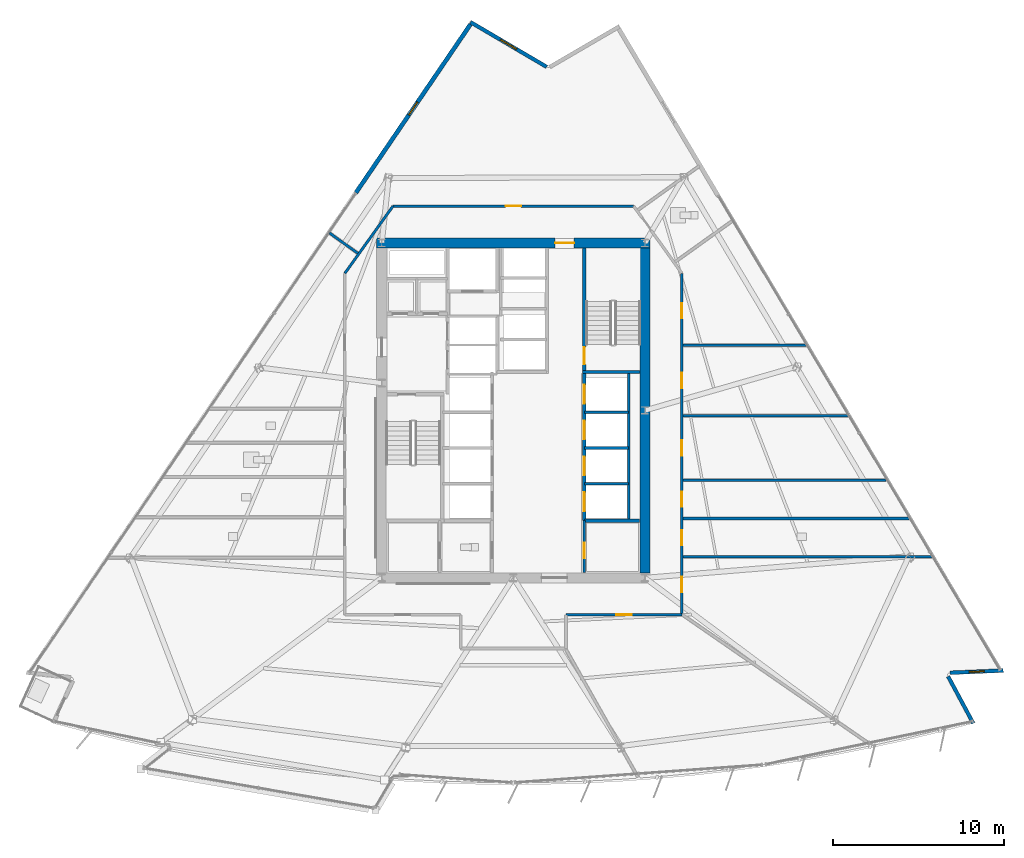
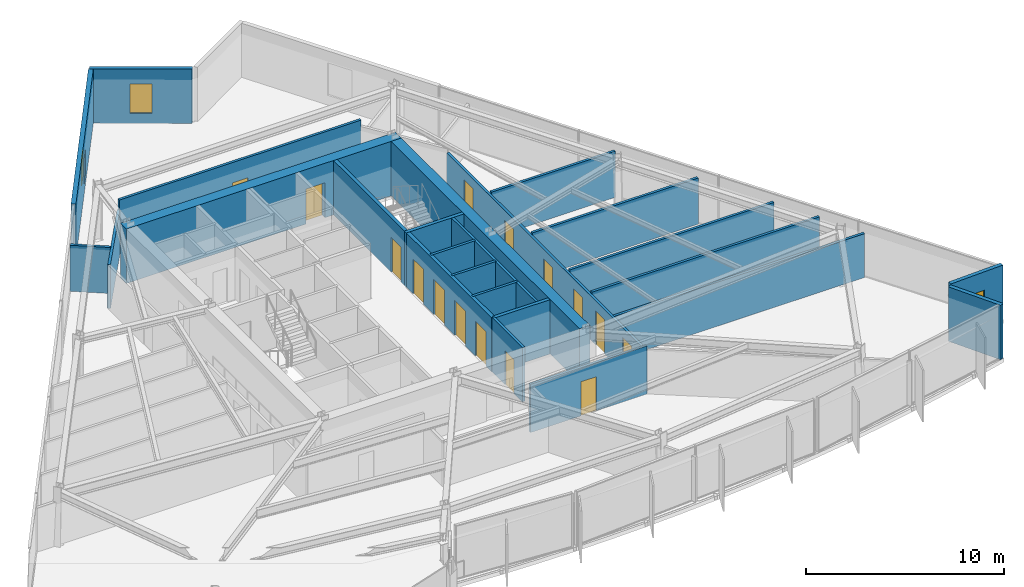
# One storey, part 9 of 15: 25 walls, 15 doors, 3 windows, 18 openings.
"""IFC4 building model written with IfcOpenShell, lengths in metres."""

import ifcopenshell
import ifcopenshell.guid

model = None  # the IFC model being written
_history = None  # IfcOwnerHistory: only IFC2X3 demands one
_inside = {}  # id of a spatial element -> (the spatial element, [elements in it])
_under = {}  # id of a project, library or spatial element -> (it, [spatial elements below it])
_declared = {}  # id of a project -> (the project, [libraries it declares])
_typed = {}  # id of a type object -> (the type object, [elements of that type])
_made_of = {}  # id of a material, layer set ... -> (it, [elements and type objects made of it])


def new_model(schema):
    """Start an empty IFC model of exactly this schema.

    Asked for "IFC4X3", IfcOpenShell would pick the latest addendum, in which some entities
    have other attributes; the version numbers below select the first issue.
    IFC2X3 requires an IfcOwnerHistory on every rooted entity: one is made here for all.
    """
    global model, _history
    if schema == "IFC4X3":
        model = ifcopenshell.file(schema_version=(4, 3, 0, 0))
    else:
        model = ifcopenshell.file(schema=schema)
    _inside.clear()
    _under.clear()
    _declared.clear()
    _typed.clear()
    _made_of.clear()
    _history = None
    if model.schema == "IFC2X3":
        org = make("IfcOrganization", Name="unknown")
        user = make(
            "IfcPersonAndOrganization",
            ThePerson=make("IfcPerson", FamilyName="unknown"),
            TheOrganization=org,
        )
        app = make(
            "IfcApplication",
            ApplicationDeveloper=org,
            Version="unknown",
            ApplicationFullName="unknown",
            ApplicationIdentifier="unknown",
        )
        _history = make(
            "IfcOwnerHistory",
            OwningUser=user,
            OwningApplication=app,
            ChangeAction="ADDED",
            CreationDate=0,
        )
    return model


def make(cls, **values):
    """One entity of the class cls with the attributes given. An attribute that is None is left unset."""
    return model.create_entity(
        cls, **{name: value for name, value in values.items() if value is not None}
    )


def rooted(cls, **values):
    """An entity with a GlobalId (a new one), such as an element, a storey or a relation."""
    return make(cls, GlobalId=ifcopenshell.guid.new(), OwnerHistory=_history, **values)


def si_unit(unit_type, name, prefix=None):
    """IfcSIUnit, for example si_unit("LENGTHUNIT", "METRE", prefix="MILLI")."""
    return make("IfcSIUnit", UnitType=unit_type, Prefix=prefix, Name=name)


def assignment(units):
    """IfcUnitAssignment: the units of a project."""
    return None if units is None else make("IfcUnitAssignment", Units=units)


def point(xyz):
    """IfcCartesianPoint."""
    return None if xyz is None else make("IfcCartesianPoint", Coordinates=xyz)


def direction(xyz):
    """IfcDirection."""
    return None if xyz is None else make("IfcDirection", DirectionRatios=xyz)


def frame(location, z_axis=None, x_axis=None):
    """IfcAxis2Placement3D, a coordinate frame: its origin and axes. An axis left out is left unset."""
    return make(
        "IfcAxis2Placement3D",
        Location=point(location),
        Axis=direction(z_axis),
        RefDirection=direction(x_axis),
    )


def frame_2d(location, x_axis=None):
    """IfcAxis2Placement2D, a coordinate frame in the plane: its origin and x axis."""
    return make(
        "IfcAxis2Placement2D", Location=point(location), RefDirection=direction(x_axis)
    )


def origin():
    """The frame at (0, 0, 0) with its axes left unset."""
    return frame((0.0, 0.0, 0.0))


def place(relative_to, where):
    """IfcLocalPlacement: puts the frame where relative to a parent placement (None: the world)."""
    return make(
        "IfcLocalPlacement", PlacementRelTo=relative_to, RelativePlacement=where
    )


def context(
    kind, dimensions, precision=None, world=None, true_north=None, identifier=None
):
    """IfcGeometricRepresentationContext, for example the 3D "Model" context."""
    return make(
        "IfcGeometricRepresentationContext",
        ContextIdentifier=identifier,
        ContextType=kind,
        CoordinateSpaceDimension=dimensions,
        Precision=precision,
        WorldCoordinateSystem=world,
        TrueNorth=true_north,
    )


def subcontext(parent, identifier, kind, view, scale=None):
    """IfcGeometricRepresentationSubContext, for example "Body" below "Model"."""
    return make(
        "IfcGeometricRepresentationSubContext",
        ContextIdentifier=identifier,
        ContextType=kind,
        ParentContext=parent,
        TargetScale=scale,
        TargetView=view,
    )


def project(units=None, contexts=None):
    """IfcProject with its units and contexts."""
    return rooted(
        "IfcProject",
        Name="project",
        RepresentationContexts=contexts,
        UnitsInContext=assignment(units),
    )


def spatial(cls, under=None, at=None, **own):
    """A site, building, storey or space (cls), placed at a placement, below another one or the project."""
    s = rooted(cls, ObjectPlacement=at, **own)
    if under is not None:
        _under.setdefault(under.id(), (under, []))[1].append(s)
    return s


def profile(cls, at=None, kind="AREA", **sizes):
    """A parametric profile (cls). Its sizes go by their IFC names, for example OverallWidth=200.0."""
    return make(cls, ProfileType=kind, Position=at, **sizes)


def rectangle(**sizes):
    """IfcRectangleProfileDef."""
    return profile("IfcRectangleProfileDef", **sizes)


def extrude(swept, where, along, depth):
    """IfcExtrudedAreaSolid: the profile swept, set in the frame where, extruded along a direction by depth."""
    return make(
        "IfcExtrudedAreaSolid",
        SweptArea=swept,
        Position=where,
        ExtrudedDirection=direction(along),
        Depth=depth,
    )


def shape(context_of_items, identifier, shape_type, items):
    """IfcShapeRepresentation: the items that make up one representation, for example the "Body"."""
    return make(
        "IfcShapeRepresentation",
        ContextOfItems=context_of_items,
        RepresentationIdentifier=identifier,
        RepresentationType=shape_type,
        Items=items,
    )


def material(Name=None, Category=None):
    """IfcMaterial."""
    return make("IfcMaterial", Name=Name, Category=Category)


def layer(
    of_material, thickness, ventilated=None, Name=None, Category=None, Priority=None
):
    """IfcMaterialLayer: one layer of a wall or slab, of a material (None: an air gap)."""
    return make(
        "IfcMaterialLayer",
        Material=of_material,
        LayerThickness=thickness,
        IsVentilated=ventilated,
        Name=Name,
        Category=Category,
        Priority=Priority,
    )


def layer_set(layers, Name=None):
    """IfcMaterialLayerSet."""
    return make("IfcMaterialLayerSet", MaterialLayers=layers, LayerSetName=Name)


def made_of(thing, what):
    """Note that an element or type object is made of a material, layer set ...; save() writes the relation."""
    if what is not None:
        _made_of.setdefault(what.id(), (what, []))[1].append(thing)
    return thing


def type_object(cls, material=None, **own):
    """A type object (cls), such as IfcWallType, which elements share."""
    return made_of(rooted(cls, **own), material)


def element(
    cls,
    number,
    at=None,
    inside=None,
    cuts=None,
    type_object=None,
    material=None,
    context=None,
    identifier="Body",
    shape_type=None,
    held_by="IfcProductDefinitionShape",
    body=None,
    shapes=None,
    **own,
):
    """One element of the class cls, such as IfcWall. Its Tag is "e" and its number.

    at: its placement. inside: the storey or other place that contains it. cuts: it is an
    opening in that element (IfcRelVoidsElement). A single representation is given by context,
    identifier, shape_type and body (its items); several are given by shapes. held_by: the class
    of the entity that holds the representations. save() writes the other relations.
    """
    e = rooted(cls, Tag="e%d" % number, ObjectPlacement=at, **own)
    if body is not None:
        shapes = [shape(context, identifier, shape_type, body)]
    if shapes is not None:
        e.Representation = make(held_by, Representations=shapes)
    if inside is not None:
        _inside.setdefault(inside.id(), (inside, []))[1].append(e)
    if cuts is not None:
        rooted(
            "IfcRelVoidsElement", RelatingBuildingElement=cuts, RelatedOpeningElement=e
        )
    if type_object is not None:
        _typed.setdefault(type_object.id(), (type_object, []))[1].append(e)
    return made_of(e, material)


def fill(opening, filler):
    """IfcRelFillsElement: the door or window that sits in an opening."""
    return rooted(
        "IfcRelFillsElement",
        RelatingOpeningElement=opening,
        RelatedBuildingElement=filler,
    )


def aggregate(whole, parts):
    """IfcRelAggregates: a whole, such as a stair, and the parts it consists of."""
    return rooted("IfcRelAggregates", RelatingObject=whole, RelatedObjects=parts)


def save(model, path):
    """Write the relations noted so far, then the file.

    IfcRelAggregates (storeys below a building ...), IfcRelContainedInSpatialStructure (elements
    in a storey), IfcRelDefinesByType, IfcRelAssociatesMaterial and IfcRelDeclares: one each for
    every whole, place, type object, material and project.
    """
    for whole, parts in _under.values():
        aggregate(whole, parts)
    for where, things in _inside.values():
        rooted(
            "IfcRelContainedInSpatialStructure",
            RelatedElements=things,
            RelatingStructure=where,
        )
    for kind, things in _typed.values():
        rooted("IfcRelDefinesByType", RelatedObjects=things, RelatingType=kind)
    for what, things in _made_of.values():
        rooted("IfcRelAssociatesMaterial", RelatedObjects=things, RelatingMaterial=what)
    for by, libraries in _declared.values():
        rooted("IfcRelDeclares", RelatingContext=by, RelatedDefinitions=libraries)
    model.write(path)


model = new_model("IFC4")

# Units and contexts
model_context = context("Model", 3, precision=1e-05, world=origin(), true_north=direction((0.0, 1.0)))
body_context = subcontext(model_context, "Body", "Model", "MODEL_VIEW")
ifc_project = project(units=[si_unit("LENGTHUNIT", "METRE"), si_unit("AREAUNIT", "SQUARE_METRE"), si_unit("VOLUMEUNIT", "CUBIC_METRE"), si_unit("PLANEANGLEUNIT", "RADIAN"), si_unit("MASSUNIT", "GRAM", prefix="KILO")], contexts=[model_context])

# Site, building, storey
site_placement = place(None, origin())
site = spatial("IfcSite", under=ifc_project, at=site_placement, CompositionType="ELEMENT")
building_placement = place(site_placement, origin())
building = spatial("IfcBuilding", under=site, at=building_placement, Name="Savorim Split Tower", CompositionType="ELEMENT")
storey_placement = place(building_placement, frame((0.0, 0.0, 104.10009765625)))
storey = spatial("IfcBuildingStorey", under=building, at=storey_placement, Name="L27", CompositionType="ELEMENT", Elevation=104.10009765625)

# Wall, opening, door
ifc_material_1 = material(Name="Concrete C60/75", Category="concrete")
ifc_layer_1 = layer(ifc_material_1, 0.60009765625)
ifc_layer_set_1 = layer_set([ifc_layer_1], Name="WAL-COR-SH600")
wall_type_1 = type_object("IfcWallType", Name="WAL-COR-SH600", PredefinedType="SHEAR", material=ifc_layer_set_1)
wall_1_placement = place(storey_placement, frame((8.0, 10.199951171875, 0.0), z_axis=(0.0, 0.0, 1.0), x_axis=(-1.0, 0.0, 0.0)))
wall_1 = element("IfcWall", 1, at=wall_1_placement, inside=storey, type_object=wall_type_1, Name="L27 Offset Core North Shear Wall", PredefinedType="SHEAR", context=body_context, shape_type="SweptSolid", body=[
    extrude(rectangle(XDim=16.0, YDim=0.60009765625, at=frame_2d((8.0, 0.0))), origin(), (0.0, 0.0, 1.0), 3.349853515625),
])
opening_1_placement = place(wall_1_placement, frame((4.449951171875, 0.0, 0.0)))
opening_1 = element("IfcOpeningElement", 2, at=opening_1_placement, cuts=wall_1, Name="Opening DI-03", PredefinedType="OPENING", context=body_context, shape_type="SweptSolid", body=[
    extrude(rectangle(XDim=1.10009765625, YDim=2.14990234375, at=frame_2d((0.550048828125, 1.074951171875))), frame((0.0, 0.31005859375, 0.0), z_axis=(0.0, -1.0, 0.0), x_axis=(1.0, 0.0, 0.0)), (0.0, 0.0, 1.0), 0.6201171875),
])
ifc_material_2 = material(Name="Timber Fire Door Leaf", Category="wood")
door_type_1 = type_object("IfcDoorType", Name="DOR-FIR-1100", OperationType="NOTDEFINED", PredefinedType="DOOR", material=ifc_material_2)
door_1_placement = place(opening_1_placement, origin())
door_1 = element("IfcDoor", 3, at=door_1_placement, inside=storey, type_object=door_type_1, Name="DOR-L27-COR-NLOB - L27 North Corridor Lobby Fire Door", OperationType="SINGLE_SWING_RIGHT", OverallHeight=2.14990234375, OverallWidth=1.10009765625, PredefinedType="DOOR", context=body_context, shape_type="SweptSolid", body=[
    extrude(rectangle(XDim=1.10009765625, YDim=2.14990234375, at=frame_2d((0.550048828125, 1.074951171875))), frame((0.0, 0.02490234375, 0.0), z_axis=(0.0, -1.0, 0.0), x_axis=(1.0, 0.0, 0.0)), (0.0, 0.0, 1.0), 0.050048828125),
])
fill(opening_1, door_1)

# Walls
wall_2_placement = place(storey_placement, frame((7.699951171875, 9.89990234375, 0.0), z_axis=(0.0, 0.0, 1.0), x_axis=(0.0, -1.0, 0.0)))
element("IfcWall", 4, at=wall_2_placement, inside=storey, type_object=wall_type_1, Name="L27 Offset Core East Shear Wall", PredefinedType="SHEAR", context=body_context, shape_type="SweptSolid", body=[
    extrude(rectangle(XDim=19.0, YDim=0.60009765625, at=frame_2d((9.5, 0.0))), origin(), (0.0, 0.0, 1.0), 3.349853515625),
])
ifc_material_3 = material(Name="Precast concrete C40/50", Category="concrete")
ifc_layer_2 = layer(ifc_material_3, 0.219970703125)
ifc_layer_set_2 = layer_set([ifc_layer_2], Name="WAL-EXT-CRN220")
wall_type_2 = type_object("IfcWallType", Name="WAL-EXT-CRN220", PredefinedType="SOLIDWALL", material=ifc_layer_set_2)
wall_3_placement = place(storey_placement, frame((25.44189453125, -15.164794921875, 0.0), z_axis=(0.0, 0.0, 1.0), x_axis=(0.472811757317, -0.881163459378, 0.0)))
element("IfcWall", 5, at=wall_3_placement, inside=storey, type_object=wall_type_2, Name="L27 Notched Corner Facade Wall SE1", PredefinedType="SOLIDWALL", context=body_context, shape_type="SweptSolid", body=[
    extrude(rectangle(XDim=3.109619140625, YDim=0.219970703125, at=frame_2d((1.5546875, 0.0))), origin(), (0.0, 0.0, 1.0), 3.349853515625),
])

# Wall, opening, window
wall_4_placement = place(storey_placement, frame((28.667236328125, -14.819091796875, 0.0), z_axis=(0.0, 0.0, 1.0), x_axis=(-0.99909228571, -0.042598176436, 0.0)))
wall_4 = element("IfcWall", 6, at=wall_4_placement, inside=storey, type_object=wall_type_2, Name="L27 Notched Corner Facade Wall SE", PredefinedType="SOLIDWALL", context=body_context, shape_type="SweptSolid", body=[
    extrude(rectangle(XDim=3.1064453125, YDim=0.219970703125, at=frame_2d((1.55322265625, 0.0))), origin(), (0.0, 0.0, 1.0), 3.349853515625),
])
opening_2_placement = place(wall_4_placement, frame((1.103271484375, 0.0, 0.6201171875)))
opening_2 = element("IfcOpeningElement", 7, at=opening_2_placement, cuts=wall_4, Name="Opening WN-10", PredefinedType="OPENING", context=body_context, shape_type="SweptSolid", body=[
    extrude(rectangle(XDim=0.89990234375, YDim=1.60009765625, at=frame_2d((0.449951171875, 0.800048828125))), frame((0.0, 0.119873046875, 0.0), z_axis=(0.0, -1.0, 0.0), x_axis=(1.0, 0.0, 0.0)), (0.0, 0.0, 1.0), 0.239990234375),
])
ifc_material_4 = material(Name="Low-E Operable Double Glazing", Category="glass")
window_type_1 = type_object("IfcWindowType", Name="WIN-TWR-900x1600", PartitioningType="SINGLE_PANEL", PredefinedType="WINDOW", material=ifc_material_4)
window_1_placement = place(opening_2_placement, origin())
window_1 = element("IfcWindow", 8, at=window_1_placement, inside=storey, type_object=window_type_1, Name="L27 Operable Corner Window SE", OverallHeight=1.60009765625, OverallWidth=0.89990234375, PartitioningType="SINGLE_PANEL", PredefinedType="WINDOW", context=body_context, shape_type="SweptSolid", body=[
    extrude(rectangle(XDim=0.89990234375, YDim=1.60009765625, at=frame_2d((0.449951171875, 0.800048828125))), frame((0.0, 0.030029296875, 0.0), z_axis=(0.0, -1.0, 0.0), x_axis=(1.0, 0.0, 0.0)), (0.0, 0.0, 1.0), 0.06005859375),
])
fill(opening_2, window_1)

wall_5_placement = place(storey_placement, frame((-2.509521484375, 23.12451171875, 0.0), z_axis=(0.0, 0.0, 1.0), x_axis=(0.862103972413, -0.506731428618, 0.0)))
wall_5 = element("IfcWall", 9, at=wall_5_placement, inside=storey, type_object=wall_type_2, Name="L27 Notched Corner Facade Wall N", PredefinedType="SOLIDWALL", context=body_context, shape_type="SweptSolid", body=[
    extrude(rectangle(XDim=5.174560546875, YDim=0.219970703125, at=frame_2d((2.58740234375, 0.0))), origin(), (0.0, 0.0, 1.0), 3.349853515625),
])
opening_3_placement = place(wall_5_placement, frame((2.037353515625, 0.0, 0.6201171875)))
opening_3 = element("IfcOpeningElement", 10, at=opening_3_placement, cuts=wall_5, Name="Opening WN-09", PredefinedType="OPENING", context=body_context, shape_type="SweptSolid", body=[
    extrude(rectangle(XDim=1.10009765625, YDim=1.800048828125, at=frame_2d((0.550048828125, 0.89990234375))), frame((0.0, 0.119873046875, 0.0), z_axis=(0.0, -1.0, 0.0), x_axis=(1.0, 0.0, 0.0)), (0.0, 0.0, 1.0), 0.239990234375),
])
window_type_2 = type_object("IfcWindowType", Name="WIN-TWR-1100x1800", PartitioningType="SINGLE_PANEL", PredefinedType="WINDOW", material=ifc_material_4)
window_2_placement = place(opening_3_placement, origin())
window_2 = element("IfcWindow", 11, at=window_2_placement, inside=storey, type_object=window_type_2, Name="L27 Operable Corner Window N", OverallHeight=1.800048828125, OverallWidth=1.10009765625, PartitioningType="SINGLE_PANEL", PredefinedType="WINDOW", context=body_context, shape_type="SweptSolid", body=[
    extrude(rectangle(XDim=1.10009765625, YDim=1.800048828125, at=frame_2d((0.550048828125, 0.89990234375))), frame((0.0, 0.030029296875, 0.0), z_axis=(0.0, -1.0, 0.0), x_axis=(1.0, 0.0, 0.0)), (0.0, 0.0, 1.0), 0.06005859375),
])
fill(opening_3, window_2)

ifc_layer_3 = layer(ifc_material_3, 0.25)
ifc_layer_set_3 = layer_set([ifc_layer_3], Name="WAL-EXT-SPN250")
wall_type_3 = type_object("IfcWallType", Name="WAL-EXT-SPN250", PredefinedType="SOLIDWALL", material=ifc_layer_set_3)
wall_6_placement = place(storey_placement, frame((-9.21728515625, 13.135986328125, 0.0), z_axis=(0.0, 0.0, 1.0), x_axis=(0.562468998305, 0.826818375428, 0.0)))
wall_6 = element("IfcWall", 12, at=wall_6_placement, inside=storey, type_object=wall_type_3, Name="L27 West Operable Window Pier", PredefinedType="SOLIDWALL", context=body_context, shape_type="SweptSolid", body=[
    extrude(rectangle(XDim=11.9287109375, YDim=0.25, at=frame_2d((5.96435546875, 0.0))), origin(), (0.0, 0.0, 1.0), 3.349853515625),
])
opening_4_placement = place(wall_6_placement, frame((5.514404296875, 0.0, 0.6201171875)))
opening_4 = element("IfcOpeningElement", 13, at=opening_4_placement, cuts=wall_6, Name="Opening WN-10", PredefinedType="OPENING", context=body_context, shape_type="SweptSolid", body=[
    extrude(rectangle(XDim=0.89990234375, YDim=1.60009765625, at=frame_2d((0.449951171875, 0.800048828125))), frame((0.0, 0.135009765625, 0.0), z_axis=(0.0, -1.0, 0.0), x_axis=(1.0, 0.0, 0.0)), (0.0, 0.0, 1.0), 0.27001953125),
])
window_3_placement = place(opening_4_placement, origin())
window_3 = element("IfcWindow", 14, at=window_3_placement, inside=storey, type_object=window_type_1, Name="L27 West Operable Ventilation Window", OverallHeight=1.60009765625, OverallWidth=0.89990234375, PartitioningType="SINGLE_PANEL", PredefinedType="WINDOW", context=body_context, shape_type="SweptSolid", body=[
    extrude(rectangle(XDim=0.89990234375, YDim=1.60009765625, at=frame_2d((0.449951171875, 0.800048828125))), frame((0.0, 0.030029296875, 0.0), z_axis=(0.0, -1.0, 0.0), x_axis=(1.0, 0.0, 0.0)), (0.0, 0.0, 1.0), 0.06005859375),
])
fill(opening_4, window_3)

# Wall, opening, door
ifc_material_5 = material(Name="Concrete C50/60", Category="concrete")
ifc_layer_4 = layer(ifc_material_5, 0.199951171875)
ifc_layer_set_4 = layer_set([ifc_layer_4], Name="WAL-INT-RC200")
wall_type_4 = type_object("IfcWallType", Name="WAL-INT-RC200", PredefinedType="SOLIDWALL", material=ifc_layer_set_4)
wall_7_placement = place(storey_placement, frame((4.14990234375, 2.75, 0.0), z_axis=(0.0, 0.0, 1.0), x_axis=(0.0, 1.0, 0.0)))
wall_7 = element("IfcWall", 15, at=wall_7_placement, inside=storey, type_object=wall_type_4, Name="L27 Structural Shaft Wall W-L27-CR07", PredefinedType="SOLIDWALL", context=body_context, shape_type="SweptSolid", body=[
    extrude(rectangle(XDim=7.14990234375, YDim=0.199951171875, at=frame_2d((3.574951171875, 0.0))), origin(), (0.0, 0.0, 1.0), 3.349853515625),
])
opening_5_placement = place(wall_7_placement, frame((0.35009765625, 0.0, 0.0)))
opening_5 = element("IfcOpeningElement", 16, at=opening_5_placement, cuts=wall_7, Name="Opening DI-04", PredefinedType="OPENING", context=body_context, shape_type="SweptSolid", body=[
    extrude(rectangle(XDim=1.0, YDim=2.14990234375, at=frame_2d((0.5, 1.074951171875))), frame((0.0, 0.10986328125, 0.0), z_axis=(0.0, -1.0, 0.0), x_axis=(1.0, 0.0, 0.0)), (0.0, 0.0, 1.0), 0.219970703125),
])
door_type_2 = type_object("IfcDoorType", Name="DOR-FIR-1000", OperationType="NOTDEFINED", PredefinedType="DOOR", material=ifc_material_2)
door_2_placement = place(opening_5_placement, origin())
door_2 = element("IfcDoor", 17, at=door_2_placement, inside=storey, type_object=door_type_2, Name="DR-L27-ST2 - L27 Stair ST-2 Enclosure Door", OperationType="SINGLE_SWING_RIGHT", OverallHeight=2.14990234375, OverallWidth=1.0, PredefinedType="DOOR", context=body_context, shape_type="SweptSolid", body=[
    extrude(rectangle(XDim=1.0, YDim=2.14990234375, at=frame_2d((0.5, 1.074951171875))), frame((0.0, 0.02490234375, 0.0), z_axis=(0.0, -1.0, 0.0), x_axis=(1.0, 0.0, 0.0)), (0.0, 0.0, 1.0), 0.050048828125),
])
fill(opening_5, door_2)

# Wall
wall_8_placement = place(storey_placement, frame((4.050048828125, 2.64990234375, 0.0), z_axis=(0.0, 0.0, 1.0), x_axis=(1.0, 0.0, 0.0)))
element("IfcWall", 18, at=wall_8_placement, inside=storey, type_object=wall_type_4, Name="L27 Structural Shaft Wall W-L27-CR08", PredefinedType="SOLIDWALL", context=body_context, shape_type="SweptSolid", body=[
    extrude(rectangle(XDim=3.349853515625, YDim=0.199951171875, at=frame_2d((1.6748046875, 0.0))), origin(), (0.0, 0.0, 1.0), 3.349853515625),
])

# Wall, openings, doors
wall_9_placement = place(storey_placement, frame((4.14990234375, -6.050048828125, 0.0), z_axis=(0.0, 0.0, 1.0), x_axis=(0.0, 1.0, 0.0)))
wall_9 = element("IfcWall", 19, at=wall_9_placement, inside=storey, type_object=wall_type_4, Name="L27 Partition W-L27-B1FRONT", PredefinedType="SOLIDWALL", context=body_context, shape_type="SweptSolid", body=[
    extrude(rectangle(XDim=8.699951171875, YDim=0.199951171875, at=frame_2d((4.35009765625, 0.0))), origin(), (0.0, 0.0, 1.0), 3.349853515625),
])
opening_6_placement = place(wall_9_placement, frame((0.550048828125, 0.0, 0.0)))
opening_6 = element("IfcOpeningElement", 20, at=opening_6_placement, cuts=wall_9, Name="Opening LD-01", PredefinedType="OPENING", context=body_context, shape_type="SweptSolid", body=[
    extrude(rectangle(XDim=1.10009765625, YDim=2.14990234375, at=frame_2d((0.550048828125, 1.074951171875))), frame((0.0, 0.10986328125, 0.0), z_axis=(0.0, -1.0, 0.0), x_axis=(1.0, 0.0, 0.0)), (0.0, 0.0, 1.0), 0.219970703125),
])
opening_7_placement = place(wall_9_placement, frame((2.64990234375, 0.0, 0.0)))
opening_7 = element("IfcOpeningElement", 21, at=opening_7_placement, cuts=wall_9, Name="Opening LD-01", PredefinedType="OPENING", context=body_context, shape_type="SweptSolid", body=[
    extrude(rectangle(XDim=1.10009765625, YDim=2.14990234375, at=frame_2d((0.550048828125, 1.074951171875))), frame((0.0, 0.10986328125, 0.0), z_axis=(0.0, -1.0, 0.0), x_axis=(1.0, 0.0, 0.0)), (0.0, 0.0, 1.0), 0.219970703125),
])
opening_8_placement = place(wall_9_placement, frame((4.75, 0.0, 0.0)))
opening_8 = element("IfcOpeningElement", 22, at=opening_8_placement, cuts=wall_9, Name="Opening LD-01", PredefinedType="OPENING", context=body_context, shape_type="SweptSolid", body=[
    extrude(rectangle(XDim=1.10009765625, YDim=2.14990234375, at=frame_2d((0.550048828125, 1.074951171875))), frame((0.0, 0.10986328125, 0.0), z_axis=(0.0, -1.0, 0.0), x_axis=(1.0, 0.0, 0.0)), (0.0, 0.0, 1.0), 0.219970703125),
])
opening_9_placement = place(wall_9_placement, frame((6.85009765625, 0.0, 0.0)))
opening_9 = element("IfcOpeningElement", 23, at=opening_9_placement, cuts=wall_9, Name="Opening LD-01", PredefinedType="OPENING", context=body_context, shape_type="SweptSolid", body=[
    extrude(rectangle(XDim=1.10009765625, YDim=2.14990234375, at=frame_2d((0.550048828125, 1.074951171875))), frame((0.0, 0.10986328125, 0.0), z_axis=(0.0, -1.0, 0.0), x_axis=(1.0, 0.0, 0.0)), (0.0, 0.0, 1.0), 0.219970703125),
])
ifc_material_6 = material(Name="Charcoal Anodised Aluminium", Category="aluminium")
door_type_3 = type_object("IfcDoorType", Name="DOR-SLD-LD1100", OperationType="NOTDEFINED", PredefinedType="DOOR", material=ifc_material_6)
door_3_placement = place(opening_6_placement, origin())
door_3 = element("IfcDoor", 24, at=door_3_placement, inside=storey, type_object=door_type_3, Name="DR-L27-LD-PLL1 - L27 Lift PL-L1 Sliding Landing Door", OperationType="DOUBLE_DOOR_SLIDING", OverallHeight=2.14990234375, OverallWidth=1.10009765625, PredefinedType="DOOR", context=body_context, shape_type="SweptSolid", body=[
    extrude(rectangle(XDim=1.10009765625, YDim=2.14990234375, at=frame_2d((0.550048828125, 1.074951171875))), frame((0.0, 0.02490234375, 0.0), z_axis=(0.0, -1.0, 0.0), x_axis=(1.0, 0.0, 0.0)), (0.0, 0.0, 1.0), 0.050048828125),
])
fill(opening_6, door_3)
door_4_placement = place(opening_7_placement, origin())
door_4 = element("IfcDoor", 25, at=door_4_placement, inside=storey, type_object=door_type_3, Name="DR-L27-LD-PLL2 - L27 Lift PL-L2 Sliding Landing Door", OperationType="DOUBLE_DOOR_SLIDING", OverallHeight=2.14990234375, OverallWidth=1.10009765625, PredefinedType="DOOR", context=body_context, shape_type="SweptSolid", body=[
    extrude(rectangle(XDim=1.10009765625, YDim=2.14990234375, at=frame_2d((0.550048828125, 1.074951171875))), frame((0.0, 0.02490234375, 0.0), z_axis=(0.0, -1.0, 0.0), x_axis=(1.0, 0.0, 0.0)), (0.0, 0.0, 1.0), 0.050048828125),
])
fill(opening_7, door_4)
door_5_placement = place(opening_8_placement, origin())
door_5 = element("IfcDoor", 26, at=door_5_placement, inside=storey, type_object=door_type_3, Name="DR-L27-LD-PLL3 - L27 Lift PL-L3 Sliding Landing Door", OperationType="DOUBLE_DOOR_SLIDING", OverallHeight=2.14990234375, OverallWidth=1.10009765625, PredefinedType="DOOR", context=body_context, shape_type="SweptSolid", body=[
    extrude(rectangle(XDim=1.10009765625, YDim=2.14990234375, at=frame_2d((0.550048828125, 1.074951171875))), frame((0.0, 0.02490234375, 0.0), z_axis=(0.0, -1.0, 0.0), x_axis=(1.0, 0.0, 0.0)), (0.0, 0.0, 1.0), 0.050048828125),
])
fill(opening_8, door_5)
door_6_placement = place(opening_9_placement, origin())
door_6 = element("IfcDoor", 27, at=door_6_placement, inside=storey, type_object=door_type_3, Name="DR-L27-LD-PLL4 - L27 Lift PL-L4 Sliding Landing Door", OperationType="DOUBLE_DOOR_SLIDING", OverallHeight=2.14990234375, OverallWidth=1.10009765625, PredefinedType="DOOR", context=body_context, shape_type="SweptSolid", body=[
    extrude(rectangle(XDim=1.10009765625, YDim=2.14990234375, at=frame_2d((0.550048828125, 1.074951171875))), frame((0.0, 0.02490234375, 0.0), z_axis=(0.0, -1.0, 0.0), x_axis=(1.0, 0.0, 0.0)), (0.0, 0.0, 1.0), 0.050048828125),
])
fill(opening_9, door_6)

# Walls
wall_10_placement = place(storey_placement, frame((4.14990234375, -6.050048828125, 0.0), z_axis=(0.0, 0.0, 1.0), x_axis=(1.0, 0.0, 0.0)))
element("IfcWall", 28, at=wall_10_placement, inside=storey, type_object=wall_type_4, Name="L27 Partition W-L27-KSEP-E", PredefinedType="SOLIDWALL", context=body_context, shape_type="SweptSolid", body=[
    extrude(rectangle(XDim=3.2451171875, YDim=0.199951171875, at=frame_2d((1.62255859375, 0.0))), origin(), (0.0, 0.0, 1.0), 3.349853515625),
])
ifc_material_7 = material(Name="Acoustic Gypsum Partition Board")
ifc_layer_5 = layer(ifc_material_7, 0.14990234375)
ifc_layer_set_5 = layer_set([ifc_layer_5], Name="WAL-PAR-150")
wall_type_5 = type_object("IfcWallType", Name="WAL-PAR-150", PredefinedType="PARTITIONING", material=ifc_layer_set_5)
wall_11_placement = place(storey_placement, frame((6.75, -6.050048828125, 0.0), z_axis=(0.0, 0.0, 1.0), x_axis=(0.0, 1.0, 0.0)))
element("IfcWall", 29, at=wall_11_placement, inside=storey, type_object=wall_type_5, Name="L27 Partition W-L27-B1BACK", PredefinedType="PARTITIONING", context=body_context, shape_type="SweptSolid", body=[
    extrude(rectangle(XDim=8.699951171875, YDim=0.14990234375, at=frame_2d((4.35009765625, 0.0))), origin(), (0.0, 0.0, 1.0), 3.349853515625),
])
for number, where, z_axis, x_axis, name in (
    (30, (4.14990234375, -3.89990234375, 0.0), (0.0, 0.0, 1.0), (1.0, 0.0, 0.0), "L27 Partition W-L27-B1DIV1"),
    (31, (4.14990234375, -1.800048828125, 0.0), (0.0, 0.0, 1.0), (1.0, 0.0, 0.0), "L27 Partition W-L27-B1DIV2"),
    (32, (4.14990234375, 0.300048828125, 0.0), (0.0, 0.0, 1.0), (1.0, 0.0, 0.0), "L27 Partition W-L27-B1DIV3"),
):
    element("IfcWall", number, at=place(storey_placement, frame(where, z_axis=z_axis, x_axis=x_axis)), inside=storey, type_object=wall_type_5, Name=name, PredefinedType="PARTITIONING", context=body_context, shape_type="SweptSolid", body=[
        extrude(rectangle(XDim=2.60009765625, YDim=0.14990234375, at=frame_2d((1.300048828125, 0.0))), origin(), (0.0, 0.0, 1.0), 3.349853515625),
    ])

# Wall, opening, door
wall_12_placement = place(storey_placement, frame((4.14990234375, -9.094970703125, 0.0), z_axis=(0.0, 0.0, 1.0), x_axis=(0.0, 1.0, 0.0)))
wall_12 = element("IfcWall", 33, at=wall_12_placement, inside=storey, type_object=wall_type_5, Name="L27 Partition W-L27-KLOB-E", PredefinedType="PARTITIONING", context=body_context, shape_type="SweptSolid", body=[
    extrude(rectangle(XDim=3.044921875, YDim=0.14990234375, at=frame_2d((1.5224609375, 0.0))), origin(), (0.0, 0.0, 1.0), 3.349853515625),
])
opening_10_placement = place(wall_12_placement, frame((0.844970703125, 0.0, 0.0)))
opening_10 = element("IfcOpeningElement", 34, at=opening_10_placement, cuts=wall_12, Name="Opening DI-06", PredefinedType="OPENING", context=body_context, shape_type="SweptSolid", body=[
    extrude(rectangle(XDim=0.89990234375, YDim=2.10009765625, at=frame_2d((0.449951171875, 1.050048828125))), frame((0.0, 0.0849609375, 0.0), z_axis=(0.0, -1.0, 0.0), x_axis=(1.0, 0.0, 0.0)), (0.0, 0.0, 1.0), 0.169921875),
])
door_type_4 = type_object("IfcDoorType", Name="DOR-FIR-900", OperationType="NOTDEFINED", PredefinedType="DOOR", material=ifc_material_2)
door_7_placement = place(opening_10_placement, origin())
door_7 = element("IfcDoor", 35, at=door_7_placement, inside=storey, type_object=door_type_4, Name="DR-L27-K1IT - L27 Core IT Room Door", OperationType="SINGLE_SWING_LEFT", OverallHeight=2.10009765625, OverallWidth=0.89990234375, PredefinedType="DOOR", context=body_context, shape_type="SweptSolid", body=[
    extrude(rectangle(XDim=0.89990234375, YDim=2.10009765625, at=frame_2d((0.449951171875, 1.050048828125))), frame((0.0, 0.02490234375, 0.0), z_axis=(0.0, -1.0, 0.0), x_axis=(1.0, 0.0, 0.0)), (0.0, 0.0, 1.0), 0.050048828125),
])
fill(opening_10, door_7)

# Wall
wall_13_placement = place(storey_placement, frame((-9.860107421875, 8.42578125, 0.0), z_axis=(0.0, 0.0, 1.0), x_axis=(0.582449511476, 0.812866881218, 0.0)))
element("IfcWall", 36, at=wall_13_placement, inside=storey, type_object=wall_type_5, Name="L27 Partition W-L27-COR-02", PredefinedType="PARTITIONING", context=body_context, shape_type="SweptSolid", body=[
    extrude(rectangle(XDim=4.840087890625, YDim=0.14990234375, at=frame_2d((2.419921875, 0.0))), origin(), (0.0, 0.0, 1.0), 2.724853515625),
])

# Wall, opening, door
wall_14_placement = place(storey_placement, frame((-7.041015625, 12.360107421875, 0.0), z_axis=(0.0, 0.0, 1.0), x_axis=(1.0, 0.0, 0.0)))
wall_14 = element("IfcWall", 37, at=wall_14_placement, inside=storey, type_object=wall_type_5, Name="L27 Partition W-L27-COR-03", PredefinedType="PARTITIONING", context=body_context, shape_type="SweptSolid", body=[
    extrude(rectangle(XDim=14.08203125, YDim=0.14990234375, at=frame_2d((7.041015625, 0.0))), origin(), (0.0, 0.0, 1.0), 3.349853515625),
])
opening_11_placement = place(wall_14_placement, frame((6.591064453125, 0.0, 0.0)))
opening_11 = element("IfcOpeningElement", 38, at=opening_11_placement, cuts=wall_14, Name="Opening DI-06", PredefinedType="OPENING", context=body_context, shape_type="SweptSolid", body=[
    extrude(rectangle(XDim=0.89990234375, YDim=2.10009765625, at=frame_2d((0.449951171875, 1.050048828125))), frame((0.0, 0.0849609375, 0.0), z_axis=(0.0, -1.0, 0.0), x_axis=(1.0, 0.0, 0.0)), (0.0, 0.0, 1.0), 0.169921875),
])
door_8_placement = place(opening_11_placement, origin())
door_8 = element("IfcDoor", 39, at=door_8_placement, inside=storey, type_object=door_type_4, Name="DR-L27-RM14 - L27 Quiet Study Room Entry Door", OperationType="SINGLE_SWING_LEFT", OverallHeight=2.10009765625, OverallWidth=0.89990234375, PredefinedType="DOOR", context=body_context, shape_type="SweptSolid", body=[
    extrude(rectangle(XDim=0.89990234375, YDim=2.10009765625, at=frame_2d((0.449951171875, 1.050048828125))), frame((0.0, 0.02490234375, 0.0), z_axis=(0.0, -1.0, 0.0), x_axis=(1.0, 0.0, 0.0)), (0.0, 0.0, 1.0), 0.050048828125),
])
fill(opening_11, door_8)

# Wall, openings, doors
wall_15_placement = place(storey_placement, frame((9.860107421875, 8.42578125, 0.0), z_axis=(0.0, 0.0, 1.0), x_axis=(0.0, -1.0, 0.0)))
wall_15 = element("IfcWall", 40, at=wall_15_placement, inside=storey, type_object=wall_type_5, Name="L27 Partition W-L27-COR-05", PredefinedType="PARTITIONING", context=body_context, shape_type="SweptSolid", body=[
    extrude(rectangle(XDim=19.98583984375, YDim=0.14990234375, at=frame_2d((9.992919921875, 0.0))), origin(), (0.0, 0.0, 1.0), 2.704833984375),
])
opening_12_placement = place(wall_15_placement, frame((17.752685546875, 0.0, 0.0)))
opening_12 = element("IfcOpeningElement", 41, at=opening_12_placement, cuts=wall_15, Name="Opening DI-06", PredefinedType="OPENING", context=body_context, shape_type="SweptSolid", body=[
    extrude(rectangle(XDim=0.89990234375, YDim=2.10009765625, at=frame_2d((0.449951171875, 1.050048828125))), frame((0.0, 0.0849609375, 0.0), z_axis=(0.0, -1.0, 0.0), x_axis=(1.0, 0.0, 0.0)), (0.0, 0.0, 1.0), 0.169921875),
])
opening_13_placement = place(wall_15_placement, frame((15.0244140625, 0.0, 0.0)))
opening_13 = element("IfcOpeningElement", 42, at=opening_13_placement, cuts=wall_15, Name="Opening DI-06", PredefinedType="OPENING", context=body_context, shape_type="SweptSolid", body=[
    extrude(rectangle(XDim=0.89990234375, YDim=2.10009765625, at=frame_2d((0.449951171875, 1.050048828125))), frame((0.0, 0.0849609375, 0.0), z_axis=(0.0, -1.0, 0.0), x_axis=(1.0, 0.0, 0.0)), (0.0, 0.0, 1.0), 0.169921875),
])
opening_14_placement = place(wall_15_placement, frame((12.777099609375, 0.0, 0.0)))
opening_14 = element("IfcOpeningElement", 43, at=opening_14_placement, cuts=wall_15, Name="Opening DI-06", PredefinedType="OPENING", context=body_context, shape_type="SweptSolid", body=[
    extrude(rectangle(XDim=0.89990234375, YDim=2.10009765625, at=frame_2d((0.449951171875, 1.050048828125))), frame((0.0, 0.0849609375, 0.0), z_axis=(0.0, -1.0, 0.0), x_axis=(1.0, 0.0, 0.0)), (0.0, 0.0, 1.0), 0.169921875),
])
opening_15_placement = place(wall_15_placement, frame((9.771484375, 0.0, 0.0)))
opening_15 = element("IfcOpeningElement", 44, at=opening_15_placement, cuts=wall_15, Name="Opening DI-06", PredefinedType="OPENING", context=body_context, shape_type="SweptSolid", body=[
    extrude(rectangle(XDim=0.89990234375, YDim=2.10009765625, at=frame_2d((0.449951171875, 1.050048828125))), frame((0.0, 0.0849609375, 0.0), z_axis=(0.0, -1.0, 0.0), x_axis=(1.0, 0.0, 0.0)), (0.0, 0.0, 1.0), 0.169921875),
])
opening_16_placement = place(wall_15_placement, frame((5.8251953125, 0.0, 0.0)))
opening_16 = element("IfcOpeningElement", 45, at=opening_16_placement, cuts=wall_15, Name="Opening DI-06", PredefinedType="OPENING", context=body_context, shape_type="SweptSolid", body=[
    extrude(rectangle(XDim=0.89990234375, YDim=2.10009765625, at=frame_2d((0.449951171875, 1.050048828125))), frame((0.0, 0.0849609375, 0.0), z_axis=(0.0, -1.0, 0.0), x_axis=(1.0, 0.0, 0.0)), (0.0, 0.0, 1.0), 0.169921875),
])
opening_17_placement = place(wall_15_placement, frame((1.744384765625, 0.0, 0.0)))
opening_17 = element("IfcOpeningElement", 46, at=opening_17_placement, cuts=wall_15, Name="Opening DI-06", PredefinedType="OPENING", context=body_context, shape_type="SweptSolid", body=[
    extrude(rectangle(XDim=0.89990234375, YDim=2.10009765625, at=frame_2d((0.449951171875, 1.050048828125))), frame((0.0, 0.0849609375, 0.0), z_axis=(0.0, -1.0, 0.0), x_axis=(1.0, 0.0, 0.0)), (0.0, 0.0, 1.0), 0.169921875),
])
door_9_placement = place(opening_12_placement, origin())
door_9 = element("IfcDoor", 47, at=door_9_placement, inside=storey, type_object=door_type_4, Name="DR-L27-RM07 - L27 Quiet Study Room Entry Door", OperationType="SINGLE_SWING_RIGHT", OverallHeight=2.10009765625, OverallWidth=0.89990234375, PredefinedType="DOOR", context=body_context, shape_type="SweptSolid", body=[
    extrude(rectangle(XDim=0.89990234375, YDim=2.10009765625, at=frame_2d((0.449951171875, 1.050048828125))), frame((0.0, 0.02490234375, 0.0), z_axis=(0.0, -1.0, 0.0), x_axis=(1.0, 0.0, 0.0)), (0.0, 0.0, 1.0), 0.050048828125),
])
fill(opening_12, door_9)
door_10_placement = place(opening_13_placement, origin())
door_10 = element("IfcDoor", 48, at=door_10_placement, inside=storey, type_object=door_type_4, Name="DR-L27-RM08 - L27 Community Laundry Room Entry Door", OperationType="SINGLE_SWING_LEFT", OverallHeight=2.10009765625, OverallWidth=0.89990234375, PredefinedType="DOOR", context=body_context, shape_type="SweptSolid", body=[
    extrude(rectangle(XDim=0.89990234375, YDim=2.10009765625, at=frame_2d((0.449951171875, 1.050048828125))), frame((0.0, 0.02490234375, 0.0), z_axis=(0.0, -1.0, 0.0), x_axis=(1.0, 0.0, 0.0)), (0.0, 0.0, 1.0), 0.050048828125),
])
fill(opening_13, door_10)
door_11_placement = place(opening_14_placement, origin())
door_11 = element("IfcDoor", 49, at=door_11_placement, inside=storey, type_object=door_type_4, Name="DR-L27-RM09 - L27 Co-Living Bedroom Entry Door", OperationType="SINGLE_SWING_RIGHT", OverallHeight=2.10009765625, OverallWidth=0.89990234375, PredefinedType="DOOR", context=body_context, shape_type="SweptSolid", body=[
    extrude(rectangle(XDim=0.89990234375, YDim=2.10009765625, at=frame_2d((0.449951171875, 1.050048828125))), frame((0.0, 0.02490234375, 0.0), z_axis=(0.0, -1.0, 0.0), x_axis=(1.0, 0.0, 0.0)), (0.0, 0.0, 1.0), 0.050048828125),
])
fill(opening_14, door_11)
door_12_placement = place(opening_15_placement, origin())
door_12 = element("IfcDoor", 50, at=door_12_placement, inside=storey, type_object=door_type_4, Name="DR-L27-RM10 - L27 Quiet Study Room Entry Door", OperationType="SINGLE_SWING_LEFT", OverallHeight=2.10009765625, OverallWidth=0.89990234375, PredefinedType="DOOR", context=body_context, shape_type="SweptSolid", body=[
    extrude(rectangle(XDim=0.89990234375, YDim=2.10009765625, at=frame_2d((0.449951171875, 1.050048828125))), frame((0.0, 0.02490234375, 0.0), z_axis=(0.0, -1.0, 0.0), x_axis=(1.0, 0.0, 0.0)), (0.0, 0.0, 1.0), 0.050048828125),
])
fill(opening_15, door_12)
door_13_placement = place(opening_16_placement, origin())
door_13 = element("IfcDoor", 51, at=door_13_placement, inside=storey, type_object=door_type_4, Name="DR-L27-RM11 - L27 Quiet Study Room Entry Door", OperationType="SINGLE_SWING_RIGHT", OverallHeight=2.10009765625, OverallWidth=0.89990234375, PredefinedType="DOOR", context=body_context, shape_type="SweptSolid", body=[
    extrude(rectangle(XDim=0.89990234375, YDim=2.10009765625, at=frame_2d((0.449951171875, 1.050048828125))), frame((0.0, 0.02490234375, 0.0), z_axis=(0.0, -1.0, 0.0), x_axis=(1.0, 0.0, 0.0)), (0.0, 0.0, 1.0), 0.050048828125),
])
fill(opening_16, door_13)
door_14_placement = place(opening_17_placement, origin())
door_14 = element("IfcDoor", 52, at=door_14_placement, inside=storey, type_object=door_type_4, Name="DR-L27-RM12 - L27 Co-Living Bedroom Entry Door", OperationType="SINGLE_SWING_LEFT", OverallHeight=2.10009765625, OverallWidth=0.89990234375, PredefinedType="DOOR", context=body_context, shape_type="SweptSolid", body=[
    extrude(rectangle(XDim=0.89990234375, YDim=2.10009765625, at=frame_2d((0.449951171875, 1.050048828125))), frame((0.0, 0.02490234375, 0.0), z_axis=(0.0, -1.0, 0.0), x_axis=(1.0, 0.0, 0.0)), (0.0, 0.0, 1.0), 0.050048828125),
])
fill(opening_17, door_14)

# Wall, opening, door
wall_16_placement = place(storey_placement, frame((9.860107421875, -11.56005859375, 0.0), z_axis=(0.0, 0.0, 1.0), x_axis=(-1.0, 0.0, 0.0)))
wall_16 = element("IfcWall", 53, at=wall_16_placement, inside=storey, type_object=wall_type_5, Name="L27 Partition W-L27-COR-06", PredefinedType="PARTITIONING", context=body_context, shape_type="SweptSolid", body=[
    extrude(rectangle(XDim=6.780029296875, YDim=0.14990234375, at=frame_2d((3.39013671875, 0.0))), origin(), (0.0, 0.0, 1.0), 2.96484375),
])
opening_18_placement = place(wall_16_placement, frame((2.93994140625, 0.0, 0.0)))
opening_18 = element("IfcOpeningElement", 54, at=opening_18_placement, cuts=wall_16, Name="Opening DI-06", PredefinedType="OPENING", context=body_context, shape_type="SweptSolid", body=[
    extrude(rectangle(XDim=0.89990234375, YDim=2.10009765625, at=frame_2d((0.449951171875, 1.050048828125))), frame((0.0, 0.0849609375, 0.0), z_axis=(0.0, -1.0, 0.0), x_axis=(1.0, 0.0, 0.0)), (0.0, 0.0, 1.0), 0.169921875),
])
door_15_placement = place(opening_18_placement, origin())
door_15 = element("IfcDoor", 55, at=door_15_placement, inside=storey, type_object=door_type_4, Name="DR-L27-RM06 - L27 Quiet Study Room Entry Door", OperationType="SINGLE_SWING_LEFT", OverallHeight=2.10009765625, OverallWidth=0.89990234375, PredefinedType="DOOR", context=body_context, shape_type="SweptSolid", body=[
    extrude(rectangle(XDim=0.89990234375, YDim=2.10009765625, at=frame_2d((0.449951171875, 1.050048828125))), frame((0.0, 0.02490234375, 0.0), z_axis=(0.0, -1.0, 0.0), x_axis=(1.0, 0.0, 0.0)), (0.0, 0.0, 1.0), 0.050048828125),
])
fill(opening_18, door_15)

# Walls
wall_17_placement = place(storey_placement, frame((9.919921875, -8.172607421875, 0.0), z_axis=(0.0, 0.0, 1.0), x_axis=(1.0, 0.0, 0.0)))
element("IfcWall", 56, at=wall_17_placement, inside=storey, type_object=wall_type_5, Name="L27 Partition W-L27-PRAD05", PredefinedType="PARTITIONING", context=body_context, shape_type="SweptSolid", body=[
    extrude(rectangle(XDim=14.572265625, YDim=0.14990234375, at=frame_2d((7.2861328125, 0.0))), origin(), (0.0, 0.0, 1.0), 2.704833984375),
])
wall_18_placement = place(storey_placement, frame((9.919921875, 0.0859375, 0.0), z_axis=(0.0, 0.0, 1.0), x_axis=(1.0, 0.0, 0.0)))
element("IfcWall", 57, at=wall_18_placement, inside=storey, type_object=wall_type_5, Name="L27 Partition W-L27-SUB01", PredefinedType="PARTITIONING", context=body_context, shape_type="SweptSolid", body=[
    extrude(rectangle(XDim=9.661376953125, YDim=0.14990234375, at=frame_2d((4.83056640625, 0.0))), origin(), (0.0, 0.0, 1.0), 2.8349609375),
])
wall_19_placement = place(storey_placement, frame((9.919921875, -3.677734375, 0.0), z_axis=(0.0, 0.0, 1.0), x_axis=(1.0, 0.0, 0.0)))
element("IfcWall", 58, at=wall_19_placement, inside=storey, type_object=wall_type_5, Name="L27 Partition W-L27-SUB04", PredefinedType="PARTITIONING", context=body_context, shape_type="SweptSolid", body=[
    extrude(rectangle(XDim=11.8994140625, YDim=0.14990234375, at=frame_2d((5.94970703125, 0.0))), origin(), (0.0, 0.0, 1.0), 2.8349609375),
])
wall_20_placement = place(storey_placement, frame((9.919921875, 4.215087890625, 0.0), z_axis=(0.0, 0.0, 1.0), x_axis=(1.0, 0.0, 0.0)))
element("IfcWall", 59, at=wall_20_placement, inside=storey, type_object=wall_type_5, Name="L27 Partition W-L27-SUB05", PredefinedType="PARTITIONING", context=body_context, shape_type="SweptSolid", body=[
    extrude(rectangle(XDim=7.206298828125, YDim=0.14990234375, at=frame_2d((3.60302734375, 0.0))), origin(), (0.0, 0.0, 1.0), 2.8349609375),
])
wall_21_placement = place(storey_placement, frame((-9.097412109375, 9.593017578125, 0.0), z_axis=(0.0, 0.0, 1.0), x_axis=(-0.812933133041, 0.582357039285, 0.0)))
element("IfcWall", 60, at=wall_21_placement, inside=storey, type_object=wall_type_5, Name="L27 Partition W-L27-SUB06", PredefinedType="PARTITIONING", context=body_context, shape_type="SweptSolid", body=[
    extrude(rectangle(XDim=2.04248046875, YDim=0.14990234375, at=frame_2d((1.021240234375, 0.0))), origin(), (0.0, 0.0, 1.0), 2.8349609375),
])
wall_22_placement = place(storey_placement, frame((9.919921875, -5.925048828125, 0.0), z_axis=(0.0, 0.0, 1.0), x_axis=(1.0, 0.0, 0.0)))
element("IfcWall", 61, at=wall_22_placement, inside=storey, type_object=wall_type_5, Name="L27 Partition W-L27-SUB10", PredefinedType="PARTITIONING", context=body_context, shape_type="SweptSolid", body=[
    extrude(rectangle(XDim=13.23583984375, YDim=0.14990234375, at=frame_2d((6.617919921875, 0.0))), origin(), (0.0, 0.0, 1.0), 2.8349609375),
])

save(model, "model.ifc")
